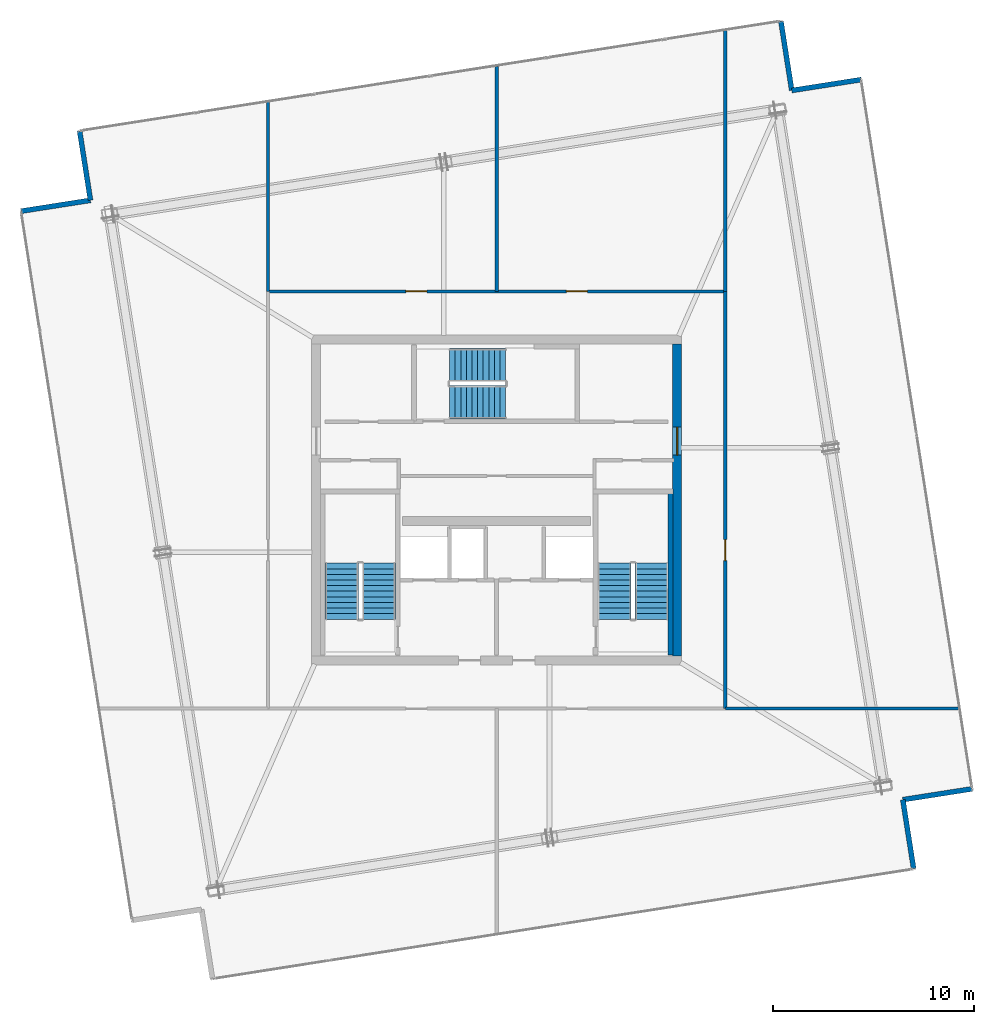
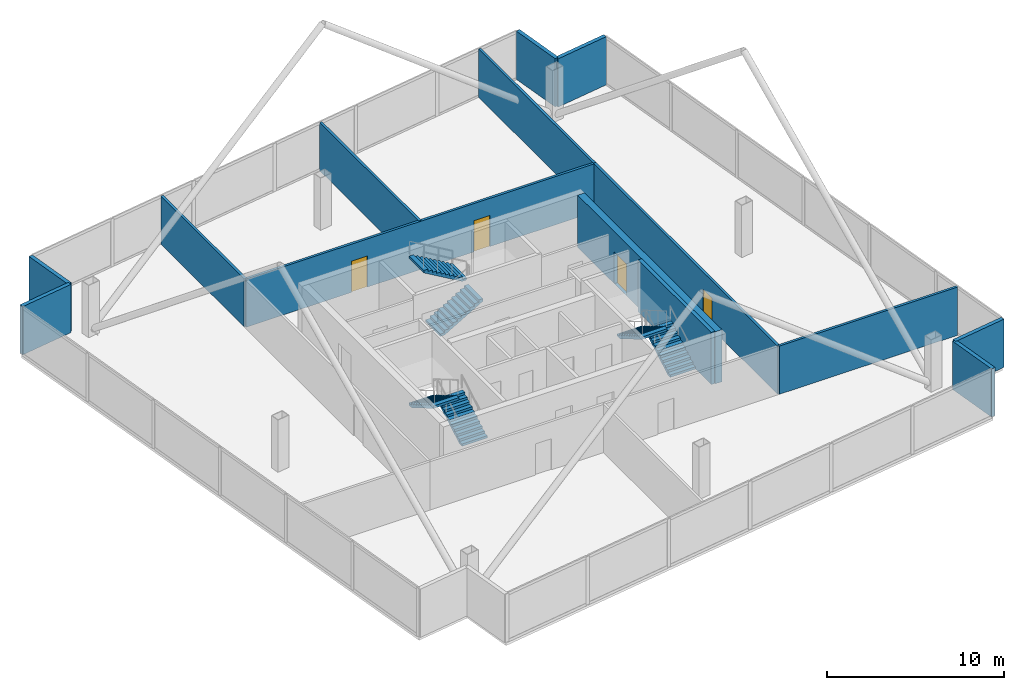
# One storey, part 20 of 21: 14 walls, 6 stair flights, 4 doors, 4 openings, 3 elements without a shape of their own.
"""IFC4 building model written with IfcOpenShell, lengths in metres."""

from ifc_helpers import new_model, si_unit, direction, frame, frame_2d, origin, place, context, subcontext, project, spatial, polyline, rectangle, outline, extrude, material, layer, layer_set, type_object, element, fill, aggregate, save


model = new_model("IFC4")

# Units and contexts
model_context = context("Model", 3, precision=1e-05, world=origin(), true_north=direction((0.0, 1.0)))
body_context = subcontext(model_context, "Body", "Model", "MODEL_VIEW")
ifc_project = project(units=[si_unit("LENGTHUNIT", "METRE"), si_unit("AREAUNIT", "SQUARE_METRE"), si_unit("VOLUMEUNIT", "CUBIC_METRE"), si_unit("PLANEANGLEUNIT", "RADIAN"), si_unit("MASSUNIT", "GRAM", prefix="KILO")], contexts=[model_context])

# Site, building, storey
site_placement = place(None, origin())
site = spatial("IfcSite", under=ifc_project, at=site_placement, CompositionType="ELEMENT")
building_placement = place(site_placement, origin())
building = spatial("IfcBuilding", under=site, at=building_placement, Name="Haldenkirk Collegiate Tower", CompositionType="ELEMENT")
storey_placement = place(building_placement, frame((0.0, 0.0, 360.60009765625)))
storey = spatial("IfcBuildingStorey", under=building, at=storey_placement, Name="L91", CompositionType="ELEMENT", Elevation=360.60009765625)

# Wall, opening, door
ifc_material_1 = material(Name="Concrete f'c 55 MPa", Category="concrete")
ifc_layer_1 = layer(ifc_material_1, 0.449951171875)
ifc_layer_set_1 = layer_set([ifc_layer_1], Name="Concrete f'c 55 MPa")
wall_type_1 = type_object("IfcWallType", Name="WL-CORE-450", PredefinedType="SHEAR", material=ifc_layer_set_1)
wall_1_placement = place(storey_placement, frame((45.0, 18.22509765625, 0.0), z_axis=(0.0, 0.0, 1.0), x_axis=(0.0, 1.0, 0.0)))
wall_1 = element("IfcWall", 1, at=wall_1_placement, inside=storey, type_object=wall_type_1, Name="L91 central core shear wall E", PredefinedType="SHEAR", context=body_context, shape_type="SweptSolid", body=[
    extrude(rectangle(XDim=15.5498046875, YDim=0.449951171875, at=frame_2d((7.77490234375, 0.0))), origin(), (0.0, 0.0, 1.0), 3.599853515625),
])
opening_1_placement = place(wall_1_placement, frame((10.014892578125, 0.0, 0.0)))
opening_1 = element("IfcOpeningElement", 2, at=opening_1_placement, cuts=wall_1, Name="Opening D-03", PredefinedType="OPENING", context=body_context, shape_type="SweptSolid", body=[
    extrude(rectangle(XDim=1.39990234375, YDim=2.199951171875, at=frame_2d((0.699951171875, 1.10009765625))), frame((0.0, 0.23486328125, 0.0), z_axis=(0.0, -1.0, 0.0), x_axis=(1.0, 0.0, 0.0)), (0.0, 0.0, 1.0), 0.469970703125),
])
ifc_material_2 = material(Name="Galvanized fire-rated hollow steel door", Category="steel")
ifc_layer_2 = layer(ifc_material_2, 0.06005859375)
ifc_layer_set_2 = layer_set([ifc_layer_2], Name="Galvanized fire-rated hollow steel door")
door_type_1 = type_object("IfcDoorType", Name="DR-LOBBY-FD90-1400", OperationType="NOTDEFINED", PredefinedType="DOOR", material=ifc_layer_set_2)
door_1_placement = place(opening_1_placement, origin())
door_1 = element("IfcDoor", 3, at=door_1_placement, inside=storey, type_object=door_type_1, Name="L91 east lift lobby portal", OperationType="DOUBLE_DOOR_SINGLE_SWING", OverallHeight=2.199951171875, OverallWidth=1.39990234375, PredefinedType="DOOR", context=body_context, shape_type="SweptSolid", body=[
    extrude(rectangle(XDim=1.39990234375, YDim=2.199951171875, at=frame_2d((0.699951171875, 1.10009765625))), frame((0.0, 0.02490234375, 0.0), z_axis=(0.0, -1.0, 0.0), x_axis=(1.0, 0.0, 0.0)), (0.0, 0.0, 1.0), 0.050048828125),
])
fill(opening_1, door_1)

# Walls
ifc_material_3 = material(Name="Precast concrete f'c 40 MPa", Category="concrete")
ifc_layer_3 = layer(ifc_material_3, 0.25)
ifc_layer_set_3 = layer_set([ifc_layer_3], Name="Precast concrete f'c 40 MPa")
wall_type_2 = type_object("IfcWallType", Name="WL-EXT-CRN-250", PredefinedType="STANDARD", material=ifc_layer_set_3)
for number, where, z_axis, x_axis, name in (
    (4, (50.717529296875, 46.4228515625, 0.0), (0.0, 0.0, 1.0), (0.987958443543, 0.154719468176, 0.0), "L91 crown bronze precast enclosure wall 02"),
    (5, (50.176025390625, 49.880615234375, 0.0), (0.0, 0.0, 1.0), (0.154719468176, -0.987958443543, 0.0), "L91 crown bronze precast enclosure wall 03"),
):
    element("IfcWall", number, at=place(storey_placement, frame(where, z_axis=z_axis, x_axis=x_axis)), inside=storey, type_object=wall_type_2, Name=name, PredefinedType="STANDARD", context=body_context, shape_type="SweptSolid", body=[
        extrude(rectangle(XDim=3.5, YDim=0.25, at=frame_2d((1.75, 0.0))), origin(), (0.0, 0.0, 1.0), 3.329833984375),
    ])
for number, where, z_axis, x_axis, name in (
    (6, (15.743896484375, 40.946044921875, 0.0), (0.0, 0.0, 1.0), (-0.154708806205, 0.987960113204, 0.0), "L91 crown bronze precast enclosure wall 05"),
    (7, (12.285888671875, 40.404541015625, 0.0), (0.0, 0.0, 1.0), (0.987960113204, 0.154708806205, 0.0), "L91 crown bronze precast enclosure wall 06"),
    (8, (56.256103515625, 11.053955078125, 0.0), (0.0, 0.0, 1.0), (0.154708806205, -0.987960113204, 0.0), "L91 crown bronze precast enclosure wall 11"),
    (9, (59.714111328125, 11.595458984375, 0.0), (0.0, 0.0, 1.0), (-0.987960113204, -0.154708806205, 0.0), "L91 crown bronze precast enclosure wall 12"),
):
    element("IfcWall", number, at=place(storey_placement, frame(where, z_axis=z_axis, x_axis=x_axis)), inside=storey, type_object=wall_type_2, Name=name, PredefinedType="STANDARD", context=body_context, shape_type="SweptSolid", body=[
        extrude(rectangle(XDim=3.500244140625, YDim=0.25, at=frame_2d((1.75, 0.0))), origin(), (0.0, 0.0, 1.0), 3.329833984375),
    ])

# Wall, openings, doors
ifc_material_4 = material(Name="Acoustic fire-rated gypsum partition", Category="concrete")
ifc_layer_4 = layer(ifc_material_4, 0.159912109375)
ifc_layer_set_4 = layer_set([ifc_layer_4], Name="Acoustic fire-rated gypsum partition")
wall_type_3 = type_object("IfcWallType", Name="WL-INT-CORR-160", PredefinedType="PARTITIONING", material=ifc_layer_set_4)
wall_2_placement = place(storey_placement, frame((24.60009765625, 36.39990234375, 0.0), z_axis=(0.0, 0.0, 1.0), x_axis=(1.0, 0.0, 0.0)))
wall_2 = element("IfcWall", 10, at=wall_2_placement, inside=storey, type_object=wall_type_3, Name="L91 interior partition IW-L91-CN", PredefinedType="PARTITIONING", context=body_context, shape_type="SweptSolid", body=[
    extrude(rectangle(XDim=22.7998046875, YDim=0.159912109375, at=frame_2d((11.39990234375, 0.0))), origin(), (0.0, 0.0, 1.0), 3.329833984375),
])
opening_2_placement = place(wall_2_placement, frame((6.875, 0.0, 0.0)))
opening_2 = element("IfcOpeningElement", 11, at=opening_2_placement, cuts=wall_2, Name="Opening D-09", PredefinedType="OPENING", context=body_context, shape_type="SweptSolid", body=[
    extrude(rectangle(XDim=1.050048828125, YDim=2.14990234375, at=frame_2d((0.52490234375, 1.074951171875))), frame((0.0, 0.08984375, 0.0), z_axis=(0.0, -1.0, 0.0), x_axis=(1.0, 0.0, 0.0)), (0.0, 0.0, 1.0), 0.179931640625),
])
opening_3_placement = place(wall_2_placement, frame((14.875, 0.0, 0.0)))
opening_3 = element("IfcOpeningElement", 12, at=opening_3_placement, cuts=wall_2, Name="Opening D-09", PredefinedType="OPENING", context=body_context, shape_type="SweptSolid", body=[
    extrude(rectangle(XDim=1.050048828125, YDim=2.14990234375, at=frame_2d((0.52490234375, 1.074951171875))), frame((0.0, 0.08984375, 0.0), z_axis=(0.0, -1.0, 0.0), x_axis=(1.0, 0.0, 0.0)), (0.0, 0.0, 1.0), 0.179931640625),
])
ifc_material_5 = material(Name="Solid-core architectural oak fire door", Category="wood")
ifc_layer_5 = layer(ifc_material_5, 0.06005859375)
ifc_layer_set_5 = layer_set([ifc_layer_5], Name="Solid-core architectural oak fire door")
door_type_2 = type_object("IfcDoorType", Name="DR-INT-FD60-1050", OperationType="NOTDEFINED", PredefinedType="DOOR", material=ifc_layer_set_5)
door_2_placement = place(opening_2_placement, origin())
door_2 = element("IfcDoor", 13, at=door_2_placement, inside=storey, type_object=door_type_2, Name="L91 crown NW plant door", OperationType="SINGLE_SWING_RIGHT", OverallHeight=2.14990234375, OverallWidth=1.050048828125, PredefinedType="DOOR", context=body_context, shape_type="SweptSolid", body=[
    extrude(rectangle(XDim=1.050048828125, YDim=2.14990234375, at=frame_2d((0.52490234375, 1.074951171875))), frame((0.0, 0.02490234375, 0.0), z_axis=(0.0, -1.0, 0.0), x_axis=(1.0, 0.0, 0.0)), (0.0, 0.0, 1.0), 0.050048828125),
])
fill(opening_2, door_2)
door_3_placement = place(opening_3_placement, origin())
door_3 = element("IfcDoor", 14, at=door_3_placement, inside=storey, type_object=door_type_2, Name="L91 crown NE plant door", OperationType="SINGLE_SWING_LEFT", OverallHeight=2.14990234375, OverallWidth=1.050048828125, PredefinedType="DOOR", context=body_context, shape_type="SweptSolid", body=[
    extrude(rectangle(XDim=1.050048828125, YDim=2.14990234375, at=frame_2d((0.52490234375, 1.074951171875))), frame((0.0, 0.02490234375, 0.0), z_axis=(0.0, -1.0, 0.0), x_axis=(1.0, 0.0, 0.0)), (0.0, 0.0, 1.0), 0.050048828125),
])
fill(opening_3, door_3)

# Wall, opening, door
wall_3_placement = place(storey_placement, frame((47.39990234375, 15.60009765625, 0.0), z_axis=(0.0, 0.0, 1.0), x_axis=(0.0, 1.0, 0.0)))
wall_3 = element("IfcWall", 15, at=wall_3_placement, inside=storey, type_object=wall_type_3, Name="L91 interior partition IW-L91-CE", PredefinedType="PARTITIONING", context=body_context, shape_type="SweptSolid", body=[
    extrude(rectangle(XDim=20.7998046875, YDim=0.159912109375, at=frame_2d((10.39990234375, 0.0))), origin(), (0.0, 0.0, 1.0), 3.329833984375),
])
opening_4_placement = place(wall_3_placement, frame((7.375, 0.0, 0.0)))
opening_4 = element("IfcOpeningElement", 16, at=opening_4_placement, cuts=wall_3, Name="Opening D-09", PredefinedType="OPENING", context=body_context, shape_type="SweptSolid", body=[
    extrude(rectangle(XDim=1.050048828125, YDim=2.14990234375, at=frame_2d((0.52490234375, 1.074951171875))), frame((0.0, 0.08984375, 0.0), z_axis=(0.0, -1.0, 0.0), x_axis=(1.0, 0.0, 0.0)), (0.0, 0.0, 1.0), 0.179931640625),
])
door_4_placement = place(opening_4_placement, origin())
door_4 = element("IfcDoor", 17, at=door_4_placement, inside=storey, type_object=door_type_2, Name="L91 crown E plant door", OperationType="SINGLE_SWING_LEFT", OverallHeight=2.14990234375, OverallWidth=1.050048828125, PredefinedType="DOOR", context=body_context, shape_type="SweptSolid", body=[
    extrude(rectangle(XDim=1.050048828125, YDim=2.14990234375, at=frame_2d((0.52490234375, 1.074951171875))), frame((0.0, 0.02490234375, 0.0), z_axis=(0.0, -1.0, 0.0), x_axis=(1.0, 0.0, 0.0)), (0.0, 0.0, 1.0), 0.050048828125),
])
fill(opening_4, door_4)

# Walls
wall_4_placement = place(storey_placement, frame((36.0, 36.39990234375, 0.0), z_axis=(0.0, 0.0, 1.0), x_axis=(0.0, 1.0, 0.0)))
element("IfcWall", 18, at=wall_4_placement, inside=storey, type_object=wall_type_3, Name="L91 interior partition IW-L91-D2", PredefinedType="PARTITIONING", context=body_context, shape_type="SweptSolid", body=[
    extrude(rectangle(XDim=11.220458984375, YDim=0.159912109375, at=frame_2d((5.6103515625, 0.0))), origin(), (0.0, 0.0, 1.0), 3.329833984375),
])
wall_5_placement = place(storey_placement, frame((47.39990234375, 15.60009765625, 0.0), z_axis=(0.0, 0.0, 1.0), x_axis=(1.0, 0.0, 0.0)))
element("IfcWall", 19, at=wall_5_placement, inside=storey, type_object=wall_type_3, Name="L91 interior partition IW-L91-D4", PredefinedType="PARTITIONING", context=body_context, shape_type="SweptSolid", body=[
    extrude(rectangle(XDim=11.646484375, YDim=0.159912109375, at=frame_2d((5.8232421875, 0.0))), origin(), (0.0, 0.0, 1.0), 3.329833984375),
])
wall_6_placement = place(storey_placement, frame((24.60009765625, 36.39990234375, 0.0), z_axis=(0.0, 0.0, 1.0), x_axis=(0.0, 1.0, 0.0)))
element("IfcWall", 20, at=wall_6_placement, inside=storey, type_object=wall_type_3, Name="L91 interior partition IW-L91-D5", PredefinedType="PARTITIONING", context=body_context, shape_type="SweptSolid", body=[
    extrude(rectangle(XDim=9.435302734375, YDim=0.159912109375, at=frame_2d((4.7177734375, 0.0))), origin(), (0.0, 0.0, 1.0), 3.329833984375),
])
wall_7_placement = place(storey_placement, frame((47.39990234375, 36.39990234375, 0.0), z_axis=(0.0, 0.0, 1.0), x_axis=(0.0, 1.0, 0.0)))
element("IfcWall", 21, at=wall_7_placement, inside=storey, type_object=wall_type_3, Name="L91 interior partition IW-L91-D6", PredefinedType="PARTITIONING", context=body_context, shape_type="SweptSolid", body=[
    extrude(rectangle(XDim=13.005615234375, YDim=0.159912109375, at=frame_2d((6.5029296875, 0.0))), origin(), (0.0, 0.0, 1.0), 3.329833984375),
])
ifc_layer_6 = layer(ifc_material_1, 0.239990234375)
ifc_layer_set_6 = layer_set([ifc_layer_6], Name="Concrete f'c 55 MPa")
wall_type_4 = type_object("IfcWallType", Name="WL-SHAFT-240", PredefinedType="SHEAR", material=ifc_layer_set_6)
wall_8_placement = place(storey_placement, frame((44.669921875, 18.280029296875, 0.0), z_axis=(0.0, 0.0, 1.0), x_axis=(0.0, 1.0, 0.0)))
element("IfcWall", 22, at=wall_8_placement, inside=storey, type_object=wall_type_4, Name="L91 stair shaft shear wall SW-L91-ST2E", PredefinedType="SHEAR", context=body_context, shape_type="SweptSolid", body=[
    extrude(rectangle(XDim=8.260009765625, YDim=0.239990234375, at=frame_2d((4.1298828125, 0.0))), origin(), (0.0, 0.0, 1.0), 3.599853515625),
])

# Stair, stair flights
ifc_material_6 = material(Name="Concrete f'c 40 MPa", Category="concrete")
stair_type = type_object("IfcStairType", Name="STR-DOGLEG-1650", PredefinedType="HALF_TURN_STAIR", material=ifc_material_6)
stair_1_placement = place(storey_placement, origin())
stair_1 = element("IfcStair", 23, at=stair_1_placement, inside=storey, type_object=stair_type, Name="L91 Core Exit Stair ST-1", PredefinedType="HALF_TURN_STAIR")
stair_flight_type = type_object("IfcStairFlightType", Name="STF-FLIGHT-1650", PredefinedType="STRAIGHT", material=ifc_material_6)
stair_flight_1_placement = place(storey_placement, frame((30.125, 20.050048828125, 0.0), z_axis=(0.0, 0.0, 1.0), x_axis=(0.0, 1.0, 0.0)))
stair_flight_1 = element("IfcStairFlight", 24, at=stair_flight_1_placement, type_object=stair_flight_type, Name="ST-1 flight 1", NumberOfRisers=11, NumberOfTreads=10, PredefinedType="STRAIGHT", RiserHeight=0.163636364, TreadLength=0.28, context=body_context, shape_type="SweptSolid", body=[
    extrude(outline(polyline([(0.0, 0.0), (0.0, 0.16357421875), (0.280029296875, 0.16357421875), (0.280029296875, 0.327392578125), (0.56005859375, 0.327392578125), (0.56005859375, 0.490966796875), (0.840087890625, 0.490966796875), (0.840087890625, 0.654541015625), (1.1201171875, 0.654541015625), (1.1201171875, 0.818115234375), (1.39990234375, 0.818115234375), (1.39990234375, 0.98193359375), (1.679931640625, 0.98193359375), (1.679931640625, 1.1455078125), (1.9599609375, 1.1455078125), (1.9599609375, 1.30908203125), (2.239990234375, 1.30908203125), (2.239990234375, 1.47265625), (2.52001953125, 1.47265625), (2.52001953125, 1.636474609375), (2.800048828125, 1.636474609375), (2.800048828125, 1.800048828125), (2.800048828125, 1.462646484375), (0.297119140625, 0.0), (0.0, 0.0)])), frame((0.0, 0.824951171875, 0.0), z_axis=(0.0, -1.0, 0.0), x_axis=(1.0, 0.0, 0.0)), (0.0, 0.0, 1.0), 1.64990234375),
])
stair_flight_2_placement = place(storey_placement, frame((28.27490234375, 22.85009765625, 1.7998046875), z_axis=(0.0, 0.0, 1.0), x_axis=(0.0, -1.0, 0.0)))
stair_flight_2 = element("IfcStairFlight", 25, at=stair_flight_2_placement, type_object=stair_flight_type, Name="ST-1 flight 2", NumberOfRisers=11, NumberOfTreads=10, PredefinedType="STRAIGHT", RiserHeight=0.163636364, TreadLength=0.28, context=body_context, shape_type="SweptSolid", body=[
    extrude(outline(polyline([(0.0, 0.0), (0.0, 0.16357421875), (0.280029296875, 0.16357421875), (0.280029296875, 0.327392578125), (0.56005859375, 0.327392578125), (0.56005859375, 0.490966796875), (0.840087890625, 0.490966796875), (0.840087890625, 0.654541015625), (1.1201171875, 0.654541015625), (1.1201171875, 0.818115234375), (1.39990234375, 0.818115234375), (1.39990234375, 0.98193359375), (1.679931640625, 0.98193359375), (1.679931640625, 1.1455078125), (1.9599609375, 1.1455078125), (1.9599609375, 1.30908203125), (2.239990234375, 1.30908203125), (2.239990234375, 1.47265625), (2.52001953125, 1.47265625), (2.52001953125, 1.636474609375), (2.800048828125, 1.636474609375), (2.800048828125, 1.800048828125), (2.800048828125, 1.462646484375), (0.297119140625, 0.0), (0.0, 0.0)])), frame((0.0, 0.824951171875, 0.0), z_axis=(0.0, -1.0, 0.0), x_axis=(1.0, 0.0, 0.0)), (0.0, 0.0, 1.0), 1.64990234375),
])
aggregate(stair_1, [stair_flight_1, stair_flight_2])

stair_2_placement = place(storey_placement, origin())
stair_2 = element("IfcStair", 26, at=stair_2_placement, inside=storey, type_object=stair_type, Name="L91 Core Exit Stair ST-2", PredefinedType="HALF_TURN_STAIR")
stair_flight_3_placement = place(storey_placement, frame((43.72509765625, 20.050048828125, 0.0), z_axis=(0.0, 0.0, 1.0), x_axis=(0.0, 1.0, 0.0)))
stair_flight_3 = element("IfcStairFlight", 27, at=stair_flight_3_placement, type_object=stair_flight_type, Name="ST-2 flight 1", NumberOfRisers=11, NumberOfTreads=10, PredefinedType="STRAIGHT", RiserHeight=0.163636364, TreadLength=0.28, context=body_context, shape_type="SweptSolid", body=[
    extrude(outline(polyline([(0.0, 0.0), (0.0, 0.16357421875), (0.280029296875, 0.16357421875), (0.280029296875, 0.327392578125), (0.56005859375, 0.327392578125), (0.56005859375, 0.490966796875), (0.840087890625, 0.490966796875), (0.840087890625, 0.654541015625), (1.1201171875, 0.654541015625), (1.1201171875, 0.818115234375), (1.39990234375, 0.818115234375), (1.39990234375, 0.98193359375), (1.679931640625, 0.98193359375), (1.679931640625, 1.1455078125), (1.9599609375, 1.1455078125), (1.9599609375, 1.30908203125), (2.239990234375, 1.30908203125), (2.239990234375, 1.47265625), (2.52001953125, 1.47265625), (2.52001953125, 1.636474609375), (2.800048828125, 1.636474609375), (2.800048828125, 1.800048828125), (2.800048828125, 1.462646484375), (0.297119140625, 0.0), (0.0, 0.0)])), frame((0.0, 0.824951171875, 0.0), z_axis=(0.0, -1.0, 0.0), x_axis=(1.0, 0.0, 0.0)), (0.0, 0.0, 1.0), 1.64990234375),
])
stair_flight_4_placement = place(storey_placement, frame((41.875, 22.85009765625, 1.7998046875), z_axis=(0.0, 0.0, 1.0), x_axis=(0.0, -1.0, 0.0)))
stair_flight_4 = element("IfcStairFlight", 28, at=stair_flight_4_placement, type_object=stair_flight_type, Name="ST-2 flight 2", NumberOfRisers=11, NumberOfTreads=10, PredefinedType="STRAIGHT", RiserHeight=0.163636364, TreadLength=0.28, context=body_context, shape_type="SweptSolid", body=[
    extrude(outline(polyline([(0.0, 0.0), (0.0, 0.16357421875), (0.280029296875, 0.16357421875), (0.280029296875, 0.327392578125), (0.56005859375, 0.327392578125), (0.56005859375, 0.490966796875), (0.840087890625, 0.490966796875), (0.840087890625, 0.654541015625), (1.1201171875, 0.654541015625), (1.1201171875, 0.818115234375), (1.39990234375, 0.818115234375), (1.39990234375, 0.98193359375), (1.679931640625, 0.98193359375), (1.679931640625, 1.1455078125), (1.9599609375, 1.1455078125), (1.9599609375, 1.30908203125), (2.239990234375, 1.30908203125), (2.239990234375, 1.47265625), (2.52001953125, 1.47265625), (2.52001953125, 1.636474609375), (2.800048828125, 1.636474609375), (2.800048828125, 1.800048828125), (2.800048828125, 1.462646484375), (0.297119140625, 0.0), (0.0, 0.0)])), frame((0.0, 0.824951171875, 0.0), z_axis=(0.0, -1.0, 0.0), x_axis=(1.0, 0.0, 0.0)), (0.0, 0.0, 1.0), 1.64990234375),
])
aggregate(stair_2, [stair_flight_3, stair_flight_4])

stair_3_placement = place(storey_placement, origin())
stair_3 = element("IfcStair", 29, at=stair_3_placement, inside=storey, type_object=stair_type, Name="L91 Core Exit Stair ST-3", PredefinedType="HALF_TURN_STAIR")
stair_flight_5_placement = place(storey_placement, frame((33.64990234375, 30.875, 0.0), z_axis=(0.0, 0.0, 1.0), x_axis=(1.0, 0.0, 0.0)))
stair_flight_5 = element("IfcStairFlight", 30, at=stair_flight_5_placement, type_object=stair_flight_type, Name="ST-3 flight 1", NumberOfRisers=11, NumberOfTreads=10, PredefinedType="STRAIGHT", RiserHeight=0.163636364, TreadLength=0.28, context=body_context, shape_type="SweptSolid", body=[
    extrude(outline(polyline([(0.0, 0.0), (0.0, 0.16357421875), (0.280029296875, 0.16357421875), (0.280029296875, 0.327392578125), (0.56005859375, 0.327392578125), (0.56005859375, 0.490966796875), (0.840087890625, 0.490966796875), (0.840087890625, 0.654541015625), (1.1201171875, 0.654541015625), (1.1201171875, 0.818115234375), (1.39990234375, 0.818115234375), (1.39990234375, 0.98193359375), (1.679931640625, 0.98193359375), (1.679931640625, 1.1455078125), (1.9599609375, 1.1455078125), (1.9599609375, 1.30908203125), (2.239990234375, 1.30908203125), (2.239990234375, 1.47265625), (2.52001953125, 1.47265625), (2.52001953125, 1.636474609375), (2.800048828125, 1.636474609375), (2.800048828125, 1.800048828125), (2.800048828125, 1.462646484375), (0.297119140625, 0.0), (0.0, 0.0)])), frame((0.0, 0.824951171875, 0.0), z_axis=(0.0, -1.0, 0.0), x_axis=(1.0, 0.0, 0.0)), (0.0, 0.0, 1.0), 1.64990234375),
])
stair_flight_6_placement = place(storey_placement, frame((36.449951171875, 32.72509765625, 1.7998046875), z_axis=(0.0, 0.0, 1.0), x_axis=(-1.0, 0.0, 0.0)))
stair_flight_6 = element("IfcStairFlight", 31, at=stair_flight_6_placement, type_object=stair_flight_type, Name="ST-3 flight 2", NumberOfRisers=11, NumberOfTreads=10, PredefinedType="STRAIGHT", RiserHeight=0.163636364, TreadLength=0.28, context=body_context, shape_type="SweptSolid", body=[
    extrude(outline(polyline([(0.0, 0.0), (0.0, 0.16357421875), (0.280029296875, 0.16357421875), (0.280029296875, 0.327392578125), (0.56005859375, 0.327392578125), (0.56005859375, 0.490966796875), (0.840087890625, 0.490966796875), (0.840087890625, 0.654541015625), (1.1201171875, 0.654541015625), (1.1201171875, 0.818115234375), (1.39990234375, 0.818115234375), (1.39990234375, 0.98193359375), (1.679931640625, 0.98193359375), (1.679931640625, 1.1455078125), (1.9599609375, 1.1455078125), (1.9599609375, 1.30908203125), (2.239990234375, 1.30908203125), (2.239990234375, 1.47265625), (2.52001953125, 1.47265625), (2.52001953125, 1.636474609375), (2.800048828125, 1.636474609375), (2.800048828125, 1.800048828125), (2.800048828125, 1.462646484375), (0.297119140625, 0.0), (0.0, 0.0)])), frame((0.0, 0.824951171875, 0.0), z_axis=(0.0, -1.0, 0.0), x_axis=(1.0, 0.0, 0.0)), (0.0, 0.0, 1.0), 1.64990234375),
])
aggregate(stair_3, [stair_flight_5, stair_flight_6])

save(model, "model.ifc")
